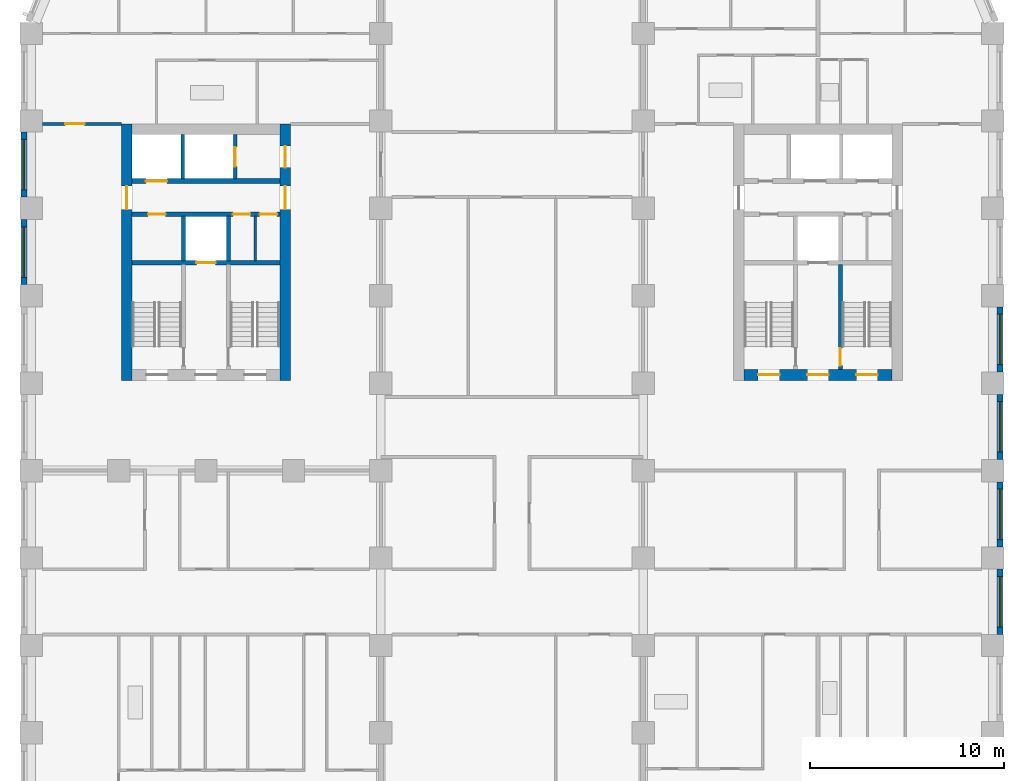
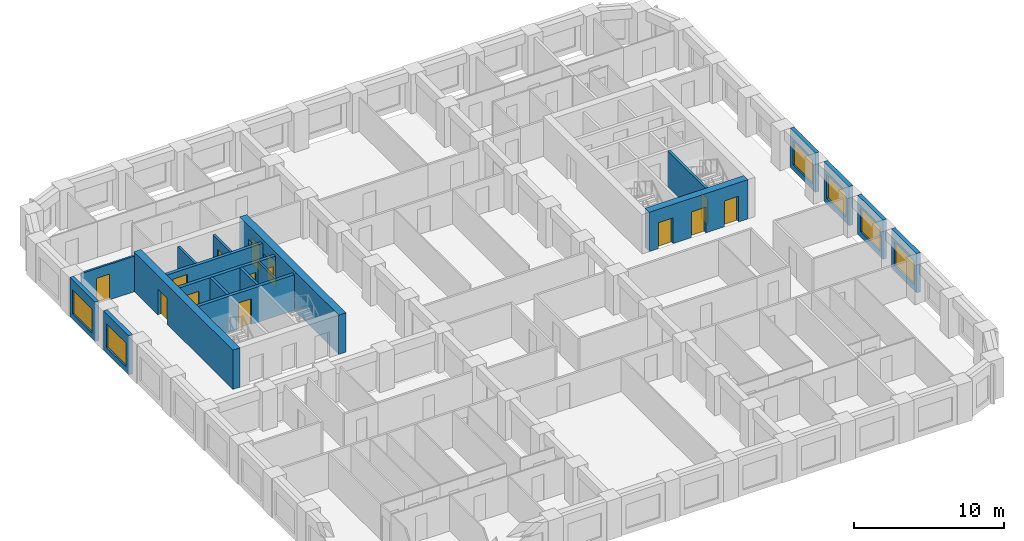
# One storey, part 6 of 13: 19 walls, 14 doors, 6 windows, 20 openings.
"""IFC4 building model written with IfcOpenShell, lengths in metres."""

from ifc_helpers import new_model, si_unit, direction, frame, frame_2d, origin, place, context, subcontext, project, spatial, rectangle, extrude, material, layer, layer_set, type_object, element, fill, save


model = new_model("IFC4")

# Units and contexts
model_context = context("Model", 3, precision=1e-05, world=origin(), true_north=direction((0.0, 1.0)))
body_context = subcontext(model_context, "Body", "Model", "MODEL_VIEW")
ifc_project = project(units=[si_unit("LENGTHUNIT", "METRE"), si_unit("AREAUNIT", "SQUARE_METRE"), si_unit("VOLUMEUNIT", "CUBIC_METRE"), si_unit("PLANEANGLEUNIT", "RADIAN"), si_unit("MASSUNIT", "GRAM", prefix="KILO")], contexts=[model_context])

# Site, building, storey
site_placement = place(None, origin())
site = spatial("IfcSite", under=ifc_project, at=site_placement, CompositionType="ELEMENT")
building_placement = place(site_placement, origin())
building = spatial("IfcBuilding", under=site, at=building_placement, Name="Girih Gate Residences", CompositionType="ELEMENT")
storey_placement = place(building_placement, frame((0.0, 0.0, 105.60009765625)))
storey = spatial("IfcBuildingStorey", under=building, at=storey_placement, Name="L29", CompositionType="ELEMENT", Elevation=105.60009765625)

# Wall, opening, door
ifc_material_1 = material(Name="Gypsum board on steel studs", Category="steel")
ifc_layer_1 = layer(ifc_material_1, 0.14990234375)
ifc_layer_set_1 = layer_set([ifc_layer_1], Name="Compartment wall 150 mm")
wall_type_1 = type_object("IfcWallType", Name="Compartment wall 150 mm", PredefinedType="PARTITIONING", material=ifc_layer_set_1)
wall_1_placement = place(storey_placement, frame((0.574951171875, 40.35009765625, 0.0), z_axis=(0.0, 0.0, 1.0), x_axis=(1.0, 0.0, 0.0)))
wall_1 = element("IfcWall", 1, at=wall_1_placement, inside=storey, type_object=wall_type_1, Name="L29 partition", PredefinedType="PARTITIONING", context=body_context, shape_type="SweptSolid", body=[
    extrude(rectangle(XDim=4.074951171875, YDim=0.14990234375, at=frame_2d((2.03759765625, 0.0))), origin(), (0.0, 0.0, 1.0), 2.89990234375),
])
opening_1_placement = place(wall_1_placement, frame((1.175048828125, 0.0, 0.0)))
opening_1 = element("IfcOpeningElement", 2, at=opening_1_placement, cuts=wall_1, Name="Opening A29-018", PredefinedType="OPENING", context=body_context, shape_type="SweptSolid", body=[
    extrude(rectangle(XDim=1.0, YDim=2.10009765625, at=frame_2d((0.5, 1.050048828125))), frame((0.0, 0.0849609375, 0.0), z_axis=(0.0, -1.0, 0.0), x_axis=(1.0, 0.0, 0.0)), (0.0, 0.0, 1.0), 0.169921875),
])
ifc_material_2 = material(Name="Timber, fire-rated core", Category="wood")
door_type_1 = type_object("IfcDoorType", Name="Flat entrance door 1000x2100 FD30S", OperationType="NOTDEFINED", PredefinedType="DOOR", material=ifc_material_2)
door_1_placement = place(opening_1_placement, origin())
door_1 = element("IfcDoor", 3, at=door_1_placement, inside=storey, type_object=door_type_1, Name="Door A29-018", OperationType="SINGLE_SWING_LEFT", OverallHeight=2.10009765625, OverallWidth=1.0, PredefinedType="DOOR", context=body_context, shape_type="SweptSolid", body=[
    extrude(rectangle(XDim=1.0, YDim=2.10009765625, at=frame_2d((0.5, 1.050048828125))), frame((0.0, 0.02490234375, 0.0), z_axis=(0.0, -1.0, 0.0), x_axis=(1.0, 0.0, 0.0)), (0.0, 0.0, 1.0), 0.050048828125),
])
fill(opening_1, door_1)

ifc_material_3 = material(Name="Concrete C60/75", Category="concrete")
ifc_layer_2 = layer(ifc_material_3, 0.550048828125)
ifc_layer_set_2 = layer_set([ifc_layer_2], Name="Core wall RC 550 Concrete C60/75")
wall_type_2 = type_object("IfcWallType", Name="Core wall RC 550 Concrete C60/75", PredefinedType="SOLIDWALL", material=ifc_layer_set_2)
wall_2_placement = place(storey_placement, frame((4.925048828125, 27.14990234375, 0.0), z_axis=(0.0, 0.0, 1.0), x_axis=(0.0, 1.0, 0.0)))
wall_2 = element("IfcWall", 4, at=wall_2_placement, inside=storey, type_object=wall_type_2, Name="Core wall W-W L29", PredefinedType="SOLIDWALL", context=body_context, shape_type="SweptSolid", body=[
    extrude(rectangle(XDim=13.2001953125, YDim=0.550048828125, at=frame_2d((6.60009765625, 0.0))), origin(), (0.0, 0.0, 1.0), 3.199951171875),
])
opening_2_placement = place(wall_2_placement, frame((8.800048828125, 0.0, 0.0)))
opening_2 = element("IfcOpeningElement", 5, at=opening_2_placement, cuts=wall_2, Name="Opening D-L29-W-013", PredefinedType="OPENING", context=body_context, shape_type="SweptSolid", body=[
    extrude(rectangle(XDim=1.199951171875, YDim=2.10009765625, at=frame_2d((0.60009765625, 1.050048828125))), frame((0.0, 0.284912109375, 0.0), z_axis=(0.0, -1.0, 0.0), x_axis=(1.0, 0.0, 0.0)), (0.0, 0.0, 1.0), 0.570068359375),
])
ifc_material_4 = material(Name="Painted steel, fire-resisting", Category="steel")
door_type_2 = type_object("IfcDoorType", Name="Fire door 1200x2100", OperationType="SINGLE_SWING_LEFT", PredefinedType="DOOR", material=ifc_material_4)
door_2_placement = place(opening_2_placement, origin())
door_2 = element("IfcDoor", 6, at=door_2_placement, inside=storey, type_object=door_type_2, Name="L29 W core door ll-w", OperationType="SINGLE_SWING_LEFT", OverallHeight=2.10009765625, OverallWidth=1.199951171875, PredefinedType="DOOR", context=body_context, shape_type="SweptSolid", body=[
    extrude(rectangle(XDim=1.199951171875, YDim=2.10009765625, at=frame_2d((0.60009765625, 1.050048828125))), frame((0.0, 0.02490234375, 0.0), z_axis=(0.0, -1.0, 0.0), x_axis=(1.0, 0.0, 0.0)), (0.0, 0.0, 1.0), 0.050048828125),
])
fill(opening_2, door_2)

# Wall, openings, doors
wall_3_placement = place(storey_placement, frame((13.074951171875, 27.14990234375, 0.0), z_axis=(0.0, 0.0, 1.0), x_axis=(0.0, 1.0, 0.0)))
wall_3 = element("IfcWall", 7, at=wall_3_placement, inside=storey, type_object=wall_type_2, Name="Core wall W-E L29", PredefinedType="SOLIDWALL", context=body_context, shape_type="SweptSolid", body=[
    extrude(rectangle(XDim=13.2001953125, YDim=0.550048828125, at=frame_2d((6.60009765625, 0.0))), origin(), (0.0, 0.0, 1.0), 3.199951171875),
])
opening_3_placement = place(wall_3_placement, frame((10.949951171875, 0.0, 0.0)))
opening_3 = element("IfcOpeningElement", 8, at=opening_3_placement, cuts=wall_3, Name="Opening D-L29-W-012", PredefinedType="OPENING", context=body_context, shape_type="SweptSolid", body=[
    extrude(rectangle(XDim=1.10009765625, YDim=2.10009765625, at=frame_2d((0.550048828125, 1.050048828125))), frame((0.0, 0.284912109375, 0.0), z_axis=(0.0, -1.0, 0.0), x_axis=(1.0, 0.0, 0.0)), (0.0, 0.0, 1.0), 0.570068359375),
])
opening_4_placement = place(wall_3_placement, frame((8.800048828125, 0.0, 0.0)))
opening_4 = element("IfcOpeningElement", 9, at=opening_4_placement, cuts=wall_3, Name="Opening D-L29-W-014", PredefinedType="OPENING", context=body_context, shape_type="SweptSolid", body=[
    extrude(rectangle(XDim=1.199951171875, YDim=2.10009765625, at=frame_2d((0.60009765625, 1.050048828125))), frame((0.0, 0.284912109375, 0.0), z_axis=(0.0, -1.0, 0.0), x_axis=(1.0, 0.0, 0.0)), (0.0, 0.0, 1.0), 0.570068359375),
])
door_type_3 = type_object("IfcDoorType", Name="Fire door 1100x2100", OperationType="SINGLE_SWING_LEFT", PredefinedType="DOOR", material=ifc_material_4)
door_3_placement = place(opening_3_placement, origin())
door_3 = element("IfcDoor", 10, at=door_3_placement, inside=storey, type_object=door_type_3, Name="L29 W core door ffl2-e", OperationType="SINGLE_SWING_LEFT", OverallHeight=2.10009765625, OverallWidth=1.10009765625, PredefinedType="DOOR", context=body_context, shape_type="SweptSolid", body=[
    extrude(rectangle(XDim=1.10009765625, YDim=2.10009765625, at=frame_2d((0.550048828125, 1.050048828125))), frame((0.0, 0.02490234375, 0.0), z_axis=(0.0, -1.0, 0.0), x_axis=(1.0, 0.0, 0.0)), (0.0, 0.0, 1.0), 0.050048828125),
])
fill(opening_3, door_3)
door_4_placement = place(opening_4_placement, origin())
door_4 = element("IfcDoor", 11, at=door_4_placement, inside=storey, type_object=door_type_2, Name="L29 W core door ll-e", OperationType="SINGLE_SWING_LEFT", OverallHeight=2.10009765625, OverallWidth=1.199951171875, PredefinedType="DOOR", context=body_context, shape_type="SweptSolid", body=[
    extrude(rectangle(XDim=1.199951171875, YDim=2.10009765625, at=frame_2d((0.60009765625, 1.050048828125))), frame((0.0, 0.02490234375, 0.0), z_axis=(0.0, -1.0, 0.0), x_axis=(1.0, 0.0, 0.0)), (0.0, 0.0, 1.0), 0.050048828125),
])
fill(opening_4, door_4)

wall_4_placement = place(storey_placement, frame((36.699951171875, 27.425048828125, 0.0), z_axis=(0.0, 0.0, 1.0), x_axis=(1.0, 0.0, 0.0)))
wall_4 = element("IfcWall", 12, at=wall_4_placement, inside=storey, type_object=wall_type_2, Name="Core wall E-S L29", PredefinedType="SOLIDWALL", context=body_context, shape_type="SweptSolid", body=[
    extrude(rectangle(XDim=7.60009765625, YDim=0.550048828125, at=frame_2d((3.800048828125, 0.0))), origin(), (0.0, 0.0, 1.0), 3.199951171875),
])
opening_5_placement = place(wall_4_placement, frame((5.77490234375, 0.0, 0.0)))
opening_5 = element("IfcOpeningElement", 13, at=opening_5_placement, cuts=wall_4, Name="Opening D-L29-E-010", PredefinedType="OPENING", context=body_context, shape_type="SweptSolid", body=[
    extrude(rectangle(XDim=1.10009765625, YDim=2.10009765625, at=frame_2d((0.550048828125, 1.050048828125))), frame((0.0, 0.284912109375, 0.0), z_axis=(0.0, -1.0, 0.0), x_axis=(1.0, 0.0, 0.0)), (0.0, 0.0, 1.0), 0.570068359375),
])
opening_6_placement = place(wall_4_placement, frame((3.25, 0.0, 0.0)))
opening_6 = element("IfcOpeningElement", 14, at=opening_6_placement, cuts=wall_4, Name="Opening D-L29-E-011", PredefinedType="OPENING", context=body_context, shape_type="SweptSolid", body=[
    extrude(rectangle(XDim=1.10009765625, YDim=2.10009765625, at=frame_2d((0.550048828125, 1.050048828125))), frame((0.0, 0.284912109375, 0.0), z_axis=(0.0, -1.0, 0.0), x_axis=(1.0, 0.0, 0.0)), (0.0, 0.0, 1.0), 0.570068359375),
])
opening_7_placement = place(wall_4_placement, frame((0.72509765625, 0.0, 0.0)))
opening_7 = element("IfcOpeningElement", 15, at=opening_7_placement, cuts=wall_4, Name="Opening D-L29-E-012", PredefinedType="OPENING", context=body_context, shape_type="SweptSolid", body=[
    extrude(rectangle(XDim=1.10009765625, YDim=2.10009765625, at=frame_2d((0.550048828125, 1.050048828125))), frame((0.0, 0.284912109375, 0.0), z_axis=(0.0, -1.0, 0.0), x_axis=(1.0, 0.0, 0.0)), (0.0, 0.0, 1.0), 0.570068359375),
])
door_5_placement = place(opening_5_placement, origin())
door_5 = element("IfcDoor", 16, at=door_5_placement, inside=storey, type_object=door_type_3, Name="L29 E core door sta-out", OperationType="SINGLE_SWING_LEFT", OverallHeight=2.10009765625, OverallWidth=1.10009765625, PredefinedType="DOOR", context=body_context, shape_type="SweptSolid", body=[
    extrude(rectangle(XDim=1.10009765625, YDim=2.10009765625, at=frame_2d((0.550048828125, 1.050048828125))), frame((0.0, 0.02490234375, 0.0), z_axis=(0.0, -1.0, 0.0), x_axis=(1.0, 0.0, 0.0)), (0.0, 0.0, 1.0), 0.050048828125),
])
fill(opening_5, door_5)
door_6_placement = place(opening_6_placement, origin())
door_6 = element("IfcDoor", 17, at=door_6_placement, inside=storey, type_object=door_type_3, Name="L29 E core door ffl-out", OperationType="SINGLE_SWING_LEFT", OverallHeight=2.10009765625, OverallWidth=1.10009765625, PredefinedType="DOOR", context=body_context, shape_type="SweptSolid", body=[
    extrude(rectangle(XDim=1.10009765625, YDim=2.10009765625, at=frame_2d((0.550048828125, 1.050048828125))), frame((0.0, 0.02490234375, 0.0), z_axis=(0.0, -1.0, 0.0), x_axis=(1.0, 0.0, 0.0)), (0.0, 0.0, 1.0), 0.050048828125),
])
fill(opening_6, door_6)
door_7_placement = place(opening_7_placement, origin())
door_7 = element("IfcDoor", 18, at=door_7_placement, inside=storey, type_object=door_type_3, Name="L29 E core door stb-out", OperationType="SINGLE_SWING_LEFT", OverallHeight=2.10009765625, OverallWidth=1.10009765625, PredefinedType="DOOR", context=body_context, shape_type="SweptSolid", body=[
    extrude(rectangle(XDim=1.10009765625, YDim=2.10009765625, at=frame_2d((0.550048828125, 1.050048828125))), frame((0.0, 0.02490234375, 0.0), z_axis=(0.0, -1.0, 0.0), x_axis=(1.0, 0.0, 0.0)), (0.0, 0.0, 1.0), 0.050048828125),
])
fill(opening_7, door_7)

# Wall, opening, door
ifc_material_5 = material(Name="Concrete C40/50", Category="concrete")
ifc_layer_3 = layer(ifc_material_5, 0.25)
ifc_layer_set_3 = layer_set([ifc_layer_3], Name="Lift shaft wall 250")
wall_type_3 = type_object("IfcWallType", Name="Lift shaft wall 250", PredefinedType="SOLIDWALL", material=ifc_layer_set_3)
wall_5_placement = place(storey_placement, frame((5.199951171875, 33.199951171875, 0.0), z_axis=(0.0, 0.0, 1.0), x_axis=(1.0, 0.0, 0.0)))
wall_5 = element("IfcWall", 19, at=wall_5_placement, inside=storey, type_object=wall_type_3, Name="L29 W core wall H1", PredefinedType="SOLIDWALL", context=body_context, shape_type="SweptSolid", body=[
    extrude(rectangle(XDim=7.60009765625, YDim=0.25, at=frame_2d((3.800048828125, 0.0))), origin(), (0.0, 0.0, 1.0), 2.89990234375),
])
opening_8_placement = place(wall_5_placement, frame((3.300048828125, 0.0, 0.0)))
opening_8 = element("IfcOpeningElement", 20, at=opening_8_placement, cuts=wall_5, Name="Opening D-L29-W-005", PredefinedType="OPENING", context=body_context, shape_type="SweptSolid", body=[
    extrude(rectangle(XDim=1.0, YDim=2.10009765625, at=frame_2d((0.5, 1.050048828125))), frame((0.0, 0.135009765625, 0.0), z_axis=(0.0, -1.0, 0.0), x_axis=(1.0, 0.0, 0.0)), (0.0, 0.0, 1.0), 0.27001953125),
])
ifc_material_6 = material(Name="Stainless steel, fire-resisting", Category="steel")
door_type_4 = type_object("IfcDoorType", Name="Firefighting lift landing door 1000x2100", OperationType="SLIDING_TO_LEFT", PredefinedType="DOOR", material=ifc_material_6)
door_8_placement = place(opening_8_placement, origin())
door_8 = element("IfcDoor", 21, at=door_8_placement, inside=storey, type_object=door_type_4, Name="L29 lift FF-W landing door", OperationType="SLIDING_TO_LEFT", OverallHeight=2.10009765625, OverallWidth=1.0, PredefinedType="DOOR", context=body_context, shape_type="SweptSolid", body=[
    extrude(rectangle(XDim=1.0, YDim=2.10009765625, at=frame_2d((0.5, 1.050048828125))), frame((0.0, 0.02490234375, 0.0), z_axis=(0.0, -1.0, 0.0), x_axis=(1.0, 0.0, 0.0)), (0.0, 0.0, 1.0), 0.050048828125),
])
fill(opening_8, door_8)

# Wall, openings, doors
wall_6_placement = place(storey_placement, frame((5.199951171875, 35.699951171875, 0.0), z_axis=(0.0, 0.0, 1.0), x_axis=(1.0, 0.0, 0.0)))
wall_6 = element("IfcWall", 22, at=wall_6_placement, inside=storey, type_object=wall_type_3, Name="L29 W core wall H2", PredefinedType="SOLIDWALL", context=body_context, shape_type="SweptSolid", body=[
    extrude(rectangle(XDim=7.60009765625, YDim=0.25, at=frame_2d((3.800048828125, 0.0))), origin(), (0.0, 0.0, 1.0), 2.89990234375),
])
opening_9_placement = place(wall_6_placement, frame((0.824951171875, 0.0, 0.0)))
opening_9 = element("IfcOpeningElement", 23, at=opening_9_placement, cuts=wall_6, Name="Opening D-L29-W-006", PredefinedType="OPENING", context=body_context, shape_type="SweptSolid", body=[
    extrude(rectangle(XDim=0.89990234375, YDim=2.10009765625, at=frame_2d((0.449951171875, 1.050048828125))), frame((0.0, 0.135009765625, 0.0), z_axis=(0.0, -1.0, 0.0), x_axis=(1.0, 0.0, 0.0)), (0.0, 0.0, 1.0), 0.27001953125),
])
opening_10_placement = place(wall_6_placement, frame((5.1875, 0.0, 0.0)))
opening_10 = element("IfcOpeningElement", 24, at=opening_10_placement, cuts=wall_6, Name="Opening D-L29-W-007", PredefinedType="OPENING", context=body_context, shape_type="SweptSolid", body=[
    extrude(rectangle(XDim=0.89990234375, YDim=2.10009765625, at=frame_2d((0.449951171875, 1.050048828125))), frame((0.0, 0.135009765625, 0.0), z_axis=(0.0, -1.0, 0.0), x_axis=(1.0, 0.0, 0.0)), (0.0, 0.0, 1.0), 0.27001953125),
])
opening_11_placement = place(wall_6_placement, frame((6.5625, 0.0, 0.0)))
opening_11 = element("IfcOpeningElement", 25, at=opening_11_placement, cuts=wall_6, Name="Opening D-L29-W-008", PredefinedType="OPENING", context=body_context, shape_type="SweptSolid", body=[
    extrude(rectangle(XDim=0.89990234375, YDim=2.10009765625, at=frame_2d((0.449951171875, 1.050048828125))), frame((0.0, 0.135009765625, 0.0), z_axis=(0.0, -1.0, 0.0), x_axis=(1.0, 0.0, 0.0)), (0.0, 0.0, 1.0), 0.27001953125),
])
door_type_5 = type_object("IfcDoorType", Name="Fire door 900x2100", OperationType="SINGLE_SWING_LEFT", PredefinedType="DOOR", material=ifc_material_4)
door_9_placement = place(opening_9_placement, origin())
door_9 = element("IfcDoor", 26, at=door_9_placement, inside=storey, type_object=door_type_5, Name="L29 W maintenance store door", OperationType="SINGLE_SWING_LEFT", OverallHeight=2.10009765625, OverallWidth=0.89990234375, PredefinedType="DOOR", context=body_context, shape_type="SweptSolid", body=[
    extrude(rectangle(XDim=0.89990234375, YDim=2.10009765625, at=frame_2d((0.449951171875, 1.050048828125))), frame((0.0, 0.02490234375, 0.0), z_axis=(0.0, -1.0, 0.0), x_axis=(1.0, 0.0, 0.0)), (0.0, 0.0, 1.0), 0.050048828125),
])
fill(opening_9, door_9)
door_10_placement = place(opening_10_placement, origin())
door_10 = element("IfcDoor", 27, at=door_10_placement, inside=storey, type_object=door_type_5, Name="L29 W linen store door", OperationType="SINGLE_SWING_LEFT", OverallHeight=2.10009765625, OverallWidth=0.89990234375, PredefinedType="DOOR", context=body_context, shape_type="SweptSolid", body=[
    extrude(rectangle(XDim=0.89990234375, YDim=2.10009765625, at=frame_2d((0.449951171875, 1.050048828125))), frame((0.0, 0.02490234375, 0.0), z_axis=(0.0, -1.0, 0.0), x_axis=(1.0, 0.0, 0.0)), (0.0, 0.0, 1.0), 0.050048828125),
])
fill(opening_10, door_10)
door_11_placement = place(opening_11_placement, origin())
door_11 = element("IfcDoor", 28, at=door_11_placement, inside=storey, type_object=door_type_5, Name="L29 W store door", OperationType="SINGLE_SWING_LEFT", OverallHeight=2.10009765625, OverallWidth=0.89990234375, PredefinedType="DOOR", context=body_context, shape_type="SweptSolid", body=[
    extrude(rectangle(XDim=0.89990234375, YDim=2.10009765625, at=frame_2d((0.449951171875, 1.050048828125))), frame((0.0, 0.02490234375, 0.0), z_axis=(0.0, -1.0, 0.0), x_axis=(1.0, 0.0, 0.0)), (0.0, 0.0, 1.0), 0.050048828125),
])
fill(opening_11, door_11)

# Wall, opening, door
wall_7_placement = place(storey_placement, frame((5.199951171875, 37.39990234375, 0.0), z_axis=(0.0, 0.0, 1.0), x_axis=(1.0, 0.0, 0.0)))
wall_7 = element("IfcWall", 29, at=wall_7_placement, inside=storey, type_object=wall_type_3, Name="L29 W core wall H3", PredefinedType="SOLIDWALL", context=body_context, shape_type="SweptSolid", body=[
    extrude(rectangle(XDim=7.60009765625, YDim=0.25, at=frame_2d((3.800048828125, 0.0))), origin(), (0.0, 0.0, 1.0), 2.89990234375),
])
opening_12_placement = place(wall_7_placement, frame((0.699951171875, 0.0, 0.0)))
opening_12 = element("IfcOpeningElement", 30, at=opening_12_placement, cuts=wall_7, Name="Opening D-L29-W-003", PredefinedType="OPENING", context=body_context, shape_type="SweptSolid", body=[
    extrude(rectangle(XDim=1.10009765625, YDim=2.39990234375, at=frame_2d((0.550048828125, 1.199951171875))), frame((0.0, 0.135009765625, 0.0), z_axis=(0.0, -1.0, 0.0), x_axis=(1.0, 0.0, 0.0)), (0.0, 0.0, 1.0), 0.27001953125),
])
ifc_material_7 = material(Name="Stainless steel", Category="steel")
door_type_6 = type_object("IfcDoorType", Name="Lift landing door 1100x2400", OperationType="SLIDING_TO_LEFT", PredefinedType="DOOR", material=ifc_material_7)
door_12_placement = place(opening_12_placement, origin())
door_12 = element("IfcDoor", 31, at=door_12_placement, inside=storey, type_object=door_type_6, Name="L29 lift LR-W1 landing door", OperationType="SLIDING_TO_LEFT", OverallHeight=2.39990234375, OverallWidth=1.10009765625, PredefinedType="DOOR", context=body_context, shape_type="SweptSolid", body=[
    extrude(rectangle(XDim=1.10009765625, YDim=2.39990234375, at=frame_2d((0.550048828125, 1.199951171875))), frame((0.0, 0.02490234375, 0.0), z_axis=(0.0, -1.0, 0.0), x_axis=(1.0, 0.0, 0.0)), (0.0, 0.0, 1.0), 0.050048828125),
])
fill(opening_12, door_12)

# Wall, opening, window
ifc_material_8 = material(Name="Precast concrete C50/60", Category="concrete")
ifc_layer_4 = layer(ifc_material_8, 0.080078125, Name="Outer leaf")
ifc_material_9 = material(Name="Rigid PIR insulation")
ifc_layer_5 = layer(ifc_material_9, 0.14990234375, Name="Insulation")
ifc_material_10 = material(Name="Precast concrete C40/50", Category="concrete")
ifc_layer_6 = layer(ifc_material_10, 0.070068359375, Name="Inner leaf")
ifc_layer_set_4 = layer_set([ifc_layer_4, ifc_layer_5, ifc_layer_6], Name="Precast concrete C50/60 external wall 300")
wall_type_4 = type_object("IfcWallType", Name="Precast concrete C50/60 external wall 300", PredefinedType="SOLIDWALL", material=ifc_layer_set_4)
wall_8_placement = place(storey_placement, frame((49.875, 17.425048828125, 0.0), z_axis=(0.0, 0.0, 1.0), x_axis=(0.0, -1.0, 0.0)))
wall_8 = element("IfcWall", 32, at=wall_8_placement, inside=storey, type_object=wall_type_4, Name="External wall E0495_0045.2", PredefinedType="SOLIDWALL", context=body_context, shape_type="SweptSolid", body=[
    extrude(rectangle(XDim=3.35009765625, YDim=0.300048828125, at=frame_2d((1.675048828125, 0.0))), origin(), (0.0, 0.0, 1.0), 3.199951171875),
])
opening_13_placement = place(wall_8_placement, frame((0.375, 0.0, 0.449951171875)))
opening_13 = element("IfcOpeningElement", 33, at=opening_13_placement, cuts=wall_8, Name="Opening W-1A", PredefinedType="OPENING", context=body_context, shape_type="SweptSolid", body=[
    extrude(rectangle(XDim=2.60009765625, YDim=1.949951171875, at=frame_2d((1.300048828125, 0.97509765625))), frame((0.0, 0.159912109375, 0.0), z_axis=(0.0, -1.0, 0.0), x_axis=(1.0, 0.0, 0.0)), (0.0, 0.0, 1.0), 0.320068359375),
])
ifc_material_11 = material(Name="Double glazing in aluminium frame", Category="aluminium")
window_type = type_object("IfcWindowType", Name="Window W-1A 2600x1950", PartitioningType="SINGLE_PANEL", PredefinedType="WINDOW", material=ifc_material_11)
window_1_placement = place(opening_13_placement, origin())
window_1 = element("IfcWindow", 34, at=window_1_placement, inside=storey, type_object=window_type, Name="Window W-1A E0495_0045.2", OverallHeight=1.949951171875, OverallWidth=2.60009765625, PartitioningType="SINGLE_PANEL", PredefinedType="WINDOW", context=body_context, shape_type="SweptSolid", body=[
    extrude(rectangle(XDim=2.60009765625, YDim=1.949951171875, at=frame_2d((1.300048828125, 0.97509765625))), frame((0.0, 0.030029296875, 0.0), z_axis=(0.0, -1.0, 0.0), x_axis=(1.0, 0.0, 0.0)), (0.0, 0.0, 1.0), 0.06005859375),
])
fill(opening_13, window_1)

wall_9_placement = place(storey_placement, frame((49.875, 21.925048828125, 0.0), z_axis=(0.0, 0.0, 1.0), x_axis=(0.0, -1.0, 0.0)))
wall_9 = element("IfcWall", 35, at=wall_9_placement, inside=storey, type_object=wall_type_4, Name="External wall E0495_0045.3", PredefinedType="SOLIDWALL", context=body_context, shape_type="SweptSolid", body=[
    extrude(rectangle(XDim=3.35009765625, YDim=0.300048828125, at=frame_2d((1.675048828125, 0.0))), origin(), (0.0, 0.0, 1.0), 3.199951171875),
])
opening_14_placement = place(wall_9_placement, frame((0.375, 0.0, 0.449951171875)))
opening_14 = element("IfcOpeningElement", 36, at=opening_14_placement, cuts=wall_9, Name="Opening W-1A", PredefinedType="OPENING", context=body_context, shape_type="SweptSolid", body=[
    extrude(rectangle(XDim=2.60009765625, YDim=1.949951171875, at=frame_2d((1.300048828125, 0.97509765625))), frame((0.0, 0.159912109375, 0.0), z_axis=(0.0, -1.0, 0.0), x_axis=(1.0, 0.0, 0.0)), (0.0, 0.0, 1.0), 0.320068359375),
])
window_2_placement = place(opening_14_placement, origin())
window_2 = element("IfcWindow", 37, at=window_2_placement, inside=storey, type_object=window_type, Name="Window W-1A E0495_0045.3", OverallHeight=1.949951171875, OverallWidth=2.60009765625, PartitioningType="SINGLE_PANEL", PredefinedType="WINDOW", context=body_context, shape_type="SweptSolid", body=[
    extrude(rectangle(XDim=2.60009765625, YDim=1.949951171875, at=frame_2d((1.300048828125, 0.97509765625))), frame((0.0, 0.030029296875, 0.0), z_axis=(0.0, -1.0, 0.0), x_axis=(1.0, 0.0, 0.0)), (0.0, 0.0, 1.0), 0.06005859375),
])
fill(opening_14, window_2)

wall_10_placement = place(storey_placement, frame((49.875, 26.425048828125, 0.0), z_axis=(0.0, 0.0, 1.0), x_axis=(0.0, -1.0, 0.0)))
wall_10 = element("IfcWall", 38, at=wall_10_placement, inside=storey, type_object=wall_type_4, Name="External wall E0495_0045.4", PredefinedType="SOLIDWALL", context=body_context, shape_type="SweptSolid", body=[
    extrude(rectangle(XDim=3.35009765625, YDim=0.300048828125, at=frame_2d((1.675048828125, 0.0))), origin(), (0.0, 0.0, 1.0), 3.199951171875),
])
opening_15_placement = place(wall_10_placement, frame((0.375, 0.0, 0.449951171875)))
opening_15 = element("IfcOpeningElement", 39, at=opening_15_placement, cuts=wall_10, Name="Opening W-1A", PredefinedType="OPENING", context=body_context, shape_type="SweptSolid", body=[
    extrude(rectangle(XDim=2.60009765625, YDim=1.949951171875, at=frame_2d((1.300048828125, 0.97509765625))), frame((0.0, 0.159912109375, 0.0), z_axis=(0.0, -1.0, 0.0), x_axis=(1.0, 0.0, 0.0)), (0.0, 0.0, 1.0), 0.320068359375),
])
window_3_placement = place(opening_15_placement, origin())
window_3 = element("IfcWindow", 40, at=window_3_placement, inside=storey, type_object=window_type, Name="Window W-1A E0495_0045.4", OverallHeight=1.949951171875, OverallWidth=2.60009765625, PartitioningType="SINGLE_PANEL", PredefinedType="WINDOW", context=body_context, shape_type="SweptSolid", body=[
    extrude(rectangle(XDim=2.60009765625, YDim=1.949951171875, at=frame_2d((1.300048828125, 0.97509765625))), frame((0.0, 0.030029296875, 0.0), z_axis=(0.0, -1.0, 0.0), x_axis=(1.0, 0.0, 0.0)), (0.0, 0.0, 1.0), 0.06005859375),
])
fill(opening_15, window_3)

wall_11_placement = place(storey_placement, frame((49.875, 30.925048828125, 0.0), z_axis=(0.0, 0.0, 1.0), x_axis=(0.0, -1.0, 0.0)))
wall_11 = element("IfcWall", 41, at=wall_11_placement, inside=storey, type_object=wall_type_4, Name="External wall E0495_0045.5", PredefinedType="SOLIDWALL", context=body_context, shape_type="SweptSolid", body=[
    extrude(rectangle(XDim=3.35009765625, YDim=0.300048828125, at=frame_2d((1.675048828125, 0.0))), origin(), (0.0, 0.0, 1.0), 3.199951171875),
])
opening_16_placement = place(wall_11_placement, frame((0.375, 0.0, 0.449951171875)))
opening_16 = element("IfcOpeningElement", 42, at=opening_16_placement, cuts=wall_11, Name="Opening W-1A", PredefinedType="OPENING", context=body_context, shape_type="SweptSolid", body=[
    extrude(rectangle(XDim=2.60009765625, YDim=1.949951171875, at=frame_2d((1.300048828125, 0.97509765625))), frame((0.0, 0.159912109375, 0.0), z_axis=(0.0, -1.0, 0.0), x_axis=(1.0, 0.0, 0.0)), (0.0, 0.0, 1.0), 0.320068359375),
])
window_4_placement = place(opening_16_placement, origin())
window_4 = element("IfcWindow", 43, at=window_4_placement, inside=storey, type_object=window_type, Name="Window W-1A E0495_0045.5", OverallHeight=1.949951171875, OverallWidth=2.60009765625, PartitioningType="SINGLE_PANEL", PredefinedType="WINDOW", context=body_context, shape_type="SweptSolid", body=[
    extrude(rectangle(XDim=2.60009765625, YDim=1.949951171875, at=frame_2d((1.300048828125, 0.97509765625))), frame((0.0, 0.030029296875, 0.0), z_axis=(0.0, -1.0, 0.0), x_axis=(1.0, 0.0, 0.0)), (0.0, 0.0, 1.0), 0.06005859375),
])
fill(opening_16, window_4)

wall_12_placement = place(storey_placement, frame((-0.375, 36.574951171875, 0.0), z_axis=(0.0, 0.0, 1.0), x_axis=(0.0, 1.0, 0.0)))
wall_12 = element("IfcWall", 44, at=wall_12_placement, inside=storey, type_object=wall_type_4, Name="External wall W0000_0450.1", PredefinedType="SOLIDWALL", context=body_context, shape_type="SweptSolid", body=[
    extrude(rectangle(XDim=3.35009765625, YDim=0.300048828125, at=frame_2d((1.675048828125, 0.0))), origin(), (0.0, 0.0, 1.0), 3.199951171875),
])
opening_17_placement = place(wall_12_placement, frame((0.375, 0.0, 0.449951171875)))
opening_17 = element("IfcOpeningElement", 45, at=opening_17_placement, cuts=wall_12, Name="Opening W-1A", PredefinedType="OPENING", context=body_context, shape_type="SweptSolid", body=[
    extrude(rectangle(XDim=2.60009765625, YDim=1.949951171875, at=frame_2d((1.300048828125, 0.97509765625))), frame((0.0, 0.159912109375, 0.0), z_axis=(0.0, -1.0, 0.0), x_axis=(1.0, 0.0, 0.0)), (0.0, 0.0, 1.0), 0.320068359375),
])
window_5_placement = place(opening_17_placement, origin())
window_5 = element("IfcWindow", 46, at=window_5_placement, inside=storey, type_object=window_type, Name="Window W-1A W0000_0450.1", OverallHeight=1.949951171875, OverallWidth=2.60009765625, PartitioningType="SINGLE_PANEL", PredefinedType="WINDOW", context=body_context, shape_type="SweptSolid", body=[
    extrude(rectangle(XDim=2.60009765625, YDim=1.949951171875, at=frame_2d((1.300048828125, 0.97509765625))), frame((0.0, 0.030029296875, 0.0), z_axis=(0.0, -1.0, 0.0), x_axis=(1.0, 0.0, 0.0)), (0.0, 0.0, 1.0), 0.06005859375),
])
fill(opening_17, window_5)

wall_13_placement = place(storey_placement, frame((-0.375, 32.074951171875, 0.0), z_axis=(0.0, 0.0, 1.0), x_axis=(0.0, 1.0, 0.0)))
wall_13 = element("IfcWall", 47, at=wall_13_placement, inside=storey, type_object=wall_type_4, Name="External wall W0000_0450.2", PredefinedType="SOLIDWALL", context=body_context, shape_type="SweptSolid", body=[
    extrude(rectangle(XDim=3.35009765625, YDim=0.300048828125, at=frame_2d((1.675048828125, 0.0))), origin(), (0.0, 0.0, 1.0), 3.199951171875),
])
opening_18_placement = place(wall_13_placement, frame((0.375, 0.0, 0.449951171875)))
opening_18 = element("IfcOpeningElement", 48, at=opening_18_placement, cuts=wall_13, Name="Opening W-1A", PredefinedType="OPENING", context=body_context, shape_type="SweptSolid", body=[
    extrude(rectangle(XDim=2.60009765625, YDim=1.949951171875, at=frame_2d((1.300048828125, 0.97509765625))), frame((0.0, 0.159912109375, 0.0), z_axis=(0.0, -1.0, 0.0), x_axis=(1.0, 0.0, 0.0)), (0.0, 0.0, 1.0), 0.320068359375),
])
window_6_placement = place(opening_18_placement, origin())
window_6 = element("IfcWindow", 49, at=window_6_placement, inside=storey, type_object=window_type, Name="Window W-1A W0000_0450.2", OverallHeight=1.949951171875, OverallWidth=2.60009765625, PartitioningType="SINGLE_PANEL", PredefinedType="WINDOW", context=body_context, shape_type="SweptSolid", body=[
    extrude(rectangle(XDim=2.60009765625, YDim=1.949951171875, at=frame_2d((1.300048828125, 0.97509765625))), frame((0.0, 0.030029296875, 0.0), z_axis=(0.0, -1.0, 0.0), x_axis=(1.0, 0.0, 0.0)), (0.0, 0.0, 1.0), 0.06005859375),
])
fill(opening_18, window_6)

# Wall
ifc_layer_7 = layer(ifc_material_5, 0.175048828125)
ifc_layer_set_5 = layer_set([ifc_layer_7], Name="Riser shaft wall 175")
wall_type_5 = type_object("IfcWallType", Name="Riser shaft wall 175", PredefinedType="SOLIDWALL", material=ifc_layer_set_5)
wall_14_placement = place(storey_placement, frame((7.800048828125, 37.5, 0.0), z_axis=(0.0, 0.0, 1.0), x_axis=(0.0, 1.0, 0.0)))
element("IfcWall", 50, at=wall_14_placement, inside=storey, type_object=wall_type_5, Name="L29 W core wall V1c", PredefinedType="SOLIDWALL", context=body_context, shape_type="SweptSolid", body=[
    extrude(rectangle(XDim=2.300048828125, YDim=0.175048828125, at=frame_2d((1.14990234375, 0.0))), origin(), (0.0, 0.0, 1.0), 2.89990234375),
])

# Wall, opening, door
wall_15_placement = place(storey_placement, frame((10.5, 37.5, 0.0), z_axis=(0.0, 0.0, 1.0), x_axis=(0.0, 1.0, 0.0)))
wall_15 = element("IfcWall", 51, at=wall_15_placement, inside=storey, type_object=wall_type_5, Name="L29 W core wall V2c", PredefinedType="SOLIDWALL", context=body_context, shape_type="SweptSolid", body=[
    extrude(rectangle(XDim=2.300048828125, YDim=0.175048828125, at=frame_2d((1.14990234375, 0.0))), origin(), (0.0, 0.0, 1.0), 2.89990234375),
])
opening_19_placement = place(wall_15_placement, frame((0.64990234375, 0.0, 0.0)))
opening_19 = element("IfcOpeningElement", 52, at=opening_19_placement, cuts=wall_15, Name="Opening D-L29-W-004", PredefinedType="OPENING", context=body_context, shape_type="SweptSolid", body=[
    extrude(rectangle(XDim=1.0, YDim=2.10009765625, at=frame_2d((0.5, 1.050048828125))), frame((0.0, 0.097412109375, 0.0), z_axis=(0.0, -1.0, 0.0), x_axis=(1.0, 0.0, 0.0)), (0.0, 0.0, 1.0), 0.195068359375),
])
door_13_placement = place(opening_19_placement, origin())
door_13 = element("IfcDoor", 53, at=door_13_placement, inside=storey, type_object=door_type_4, Name="L29 lift FF-W2 landing door", OperationType="SLIDING_TO_LEFT", OverallHeight=2.10009765625, OverallWidth=1.0, PredefinedType="DOOR", context=body_context, shape_type="SweptSolid", body=[
    extrude(rectangle(XDim=1.0, YDim=2.10009765625, at=frame_2d((0.5, 1.050048828125))), frame((0.0, 0.02490234375, 0.0), z_axis=(0.0, -1.0, 0.0), x_axis=(1.0, 0.0, 0.0)), (0.0, 0.0, 1.0), 0.050048828125),
])
fill(opening_19, door_13)

# Walls
ifc_layer_8 = layer(ifc_material_5, 0.199951171875)
ifc_layer_set_6 = layer_set([ifc_layer_8], Name="Shaft wall 200")
wall_type_6 = type_object("IfcWallType", Name="Shaft wall 200", PredefinedType="SOLIDWALL", material=ifc_layer_set_6)
for number, where, z_axis, x_axis, name in (
    (54, (7.85009765625, 33.300048828125, 0.0), (0.0, 0.0, 1.0), (0.0, 1.0, 0.0), "L29 W core wall V1b"),
    (55, (10.14990234375, 33.300048828125, 0.0), (0.0, 0.0, 1.0), (0.0, 1.0, 0.0), "L29 W core wall V2b"),
):
    element("IfcWall", number, at=place(storey_placement, frame(where, z_axis=z_axis, x_axis=x_axis)), inside=storey, type_object=wall_type_6, Name=name, PredefinedType="SOLIDWALL", context=body_context, shape_type="SweptSolid", body=[
        extrude(rectangle(XDim=2.300048828125, YDim=0.199951171875, at=frame_2d((1.14990234375, 0.0))), origin(), (0.0, 0.0, 1.0), 2.89990234375),
    ])

# Wall, opening, door
wall_16_placement = place(storey_placement, frame((41.64990234375, 27.699951171875, 0.0), z_axis=(0.0, 0.0, 1.0), x_axis=(0.0, 1.0, 0.0)))
wall_16 = element("IfcWall", 56, at=wall_16_placement, inside=storey, type_object=wall_type_6, Name="L29 E core wall V1a", PredefinedType="SOLIDWALL", context=body_context, shape_type="SweptSolid", body=[
    extrude(rectangle(XDim=5.400146484375, YDim=0.199951171875, at=frame_2d((2.7001953125, 0.0))), origin(), (0.0, 0.0, 1.0), 2.89990234375),
])
opening_20_placement = place(wall_16_placement, frame((0.199951171875, 0.0, 0.0)))
opening_20 = element("IfcOpeningElement", 57, at=opening_20_placement, cuts=wall_16, Name="Opening D-L29-E-001", PredefinedType="OPENING", context=body_context, shape_type="SweptSolid", body=[
    extrude(rectangle(XDim=0.89990234375, YDim=2.10009765625, at=frame_2d((0.449951171875, 1.050048828125))), frame((0.0, 0.10986328125, 0.0), z_axis=(0.0, -1.0, 0.0), x_axis=(1.0, 0.0, 0.0)), (0.0, 0.0, 1.0), 0.219970703125),
])
door_14_placement = place(opening_20_placement, origin())
door_14 = element("IfcDoor", 58, at=door_14_placement, inside=storey, type_object=door_type_5, Name="L29 E door stair 1 to firefighting lobby", OperationType="SINGLE_SWING_LEFT", OverallHeight=2.10009765625, OverallWidth=0.89990234375, PredefinedType="DOOR", context=body_context, shape_type="SweptSolid", body=[
    extrude(rectangle(XDim=0.89990234375, YDim=2.10009765625, at=frame_2d((0.449951171875, 1.050048828125))), frame((0.0, 0.02490234375, 0.0), z_axis=(0.0, -1.0, 0.0), x_axis=(1.0, 0.0, 0.0)), (0.0, 0.0, 1.0), 0.050048828125),
])
fill(opening_20, door_14)

# Wall
ifc_material_12 = material(Name="Calcium silicate blockwork", Category="masonry")
ifc_layer_9 = layer(ifc_material_12, 0.125)
ifc_layer_set_7 = layer_set([ifc_layer_9], Name="Store partition 125")
wall_type_7 = type_object("IfcWallType", Name="Store partition 125", PredefinedType="PARTITIONING", material=ifc_layer_set_7)
wall_17_placement = place(storey_placement, frame((11.52490234375, 33.300048828125, 0.0), z_axis=(0.0, 0.0, 1.0), x_axis=(0.0, 1.0, 0.0)))
element("IfcWall", 59, at=wall_17_placement, inside=storey, type_object=wall_type_7, Name="L29 W core wall SHR2", PredefinedType="PARTITIONING", context=body_context, shape_type="SweptSolid", body=[
    extrude(rectangle(XDim=2.300048828125, YDim=0.125, at=frame_2d((1.14990234375, 0.0))), origin(), (0.0, 0.0, 1.0), 2.89990234375),
])

save(model, "model.ifc")
